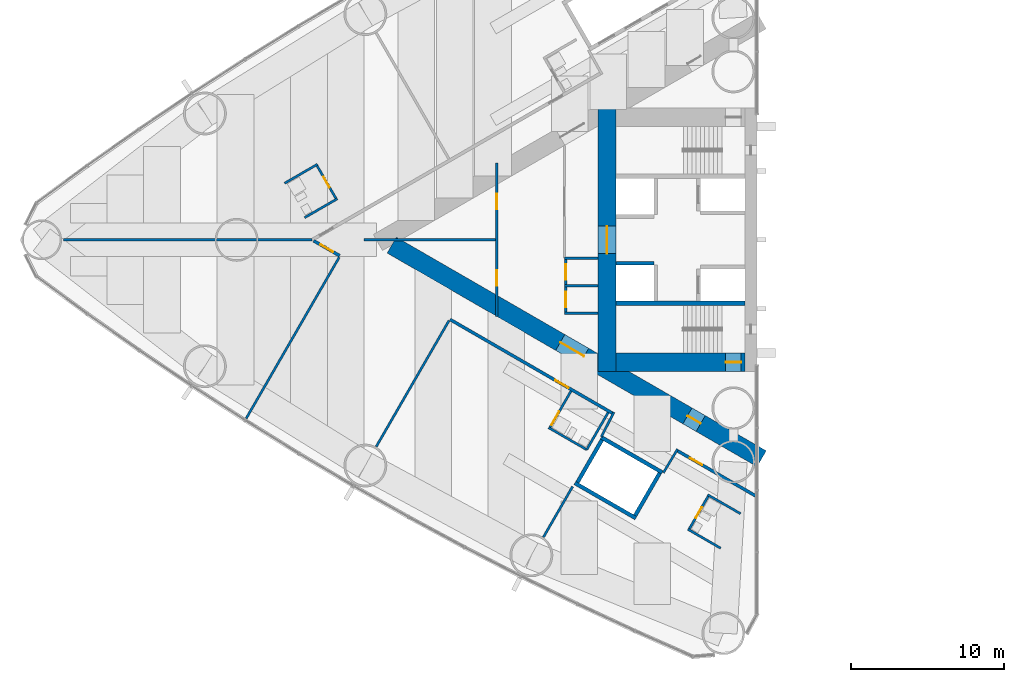
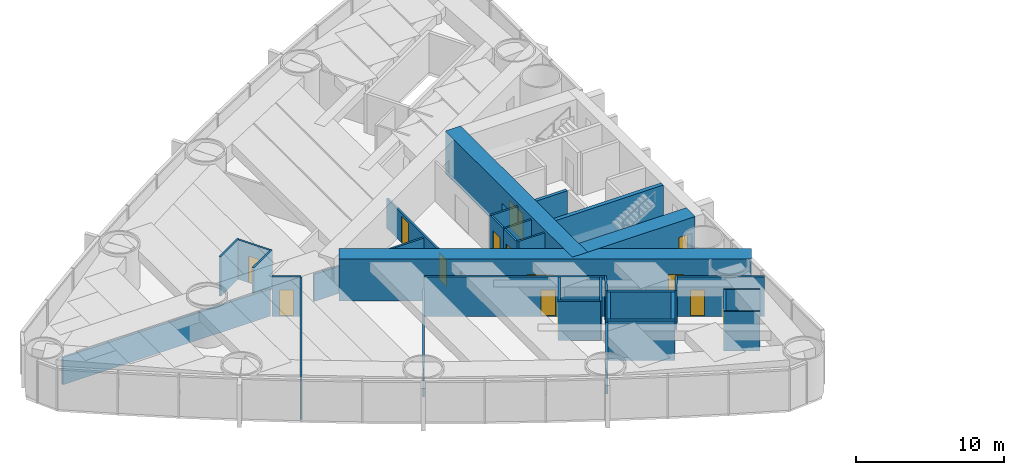
# One storey, part 11 of 18: 34 walls, 14 doors, 14 openings.
"""IFC4 building model written with IfcOpenShell, lengths in metres."""

from ifc_helpers import new_model, si_unit, direction, frame, frame_2d, origin, place, context, subcontext, project, spatial, rectangle, extrude, material, layer, layer_set, type_object, element, fill, save


model = new_model("IFC4")

# Units and contexts
model_context = context("Model", 3, precision=1e-05, world=origin(), true_north=direction((0.0, 1.0)))
body_context = subcontext(model_context, "Body", "Model", "MODEL_VIEW")
ifc_project = project(units=[si_unit("LENGTHUNIT", "METRE"), si_unit("AREAUNIT", "SQUARE_METRE"), si_unit("VOLUMEUNIT", "CUBIC_METRE"), si_unit("PLANEANGLEUNIT", "RADIAN"), si_unit("MASSUNIT", "GRAM", prefix="KILO")], contexts=[model_context])

# Site, building, storey
site_placement = place(None, origin())
site = spatial("IfcSite", under=ifc_project, at=site_placement, CompositionType="ELEMENT")
building_placement = place(site_placement, origin())
building = spatial("IfcBuilding", under=site, at=building_placement, Name="Lancet Gate Hotel", CompositionType="ELEMENT")
storey_placement = place(building_placement, frame((0.0, 0.0, 53.0)))
storey = spatial("IfcBuildingStorey", under=building, at=storey_placement, Name="L13", CompositionType="ELEMENT", Elevation=53.0)

# Wall
ifc_material_1 = material(Name="Moisture resistant board partition")
ifc_layer_1 = layer(ifc_material_1, 0.14990234375)
ifc_layer_set_1 = layer_set([ifc_layer_1], Name="Bathroom wall 150")
wall_type_1 = type_object("IfcWallType", Name="Bathroom wall 150", PredefinedType="PARTITIONING", material=ifc_layer_set_1)
wall_1_placement = place(storey_placement, frame((-56.215087890625, 4.938232421875, 0.0), z_axis=(0.0, 0.0, 1.0), x_axis=(-0.866006523861, -0.500032699561, 0.0)))
element("IfcWall", 1, at=wall_1_placement, inside=storey, type_object=wall_type_1, Name="T1 bathroom wall 150 L13", PredefinedType="PARTITIONING", context=body_context, shape_type="SweptSolid", body=[
    extrude(rectangle(XDim=2.474853515625, YDim=0.14990234375, at=frame_2d((1.2373046875, 0.0))), origin(), (0.0, 0.0, 1.0), 3.25),
])

# Wall, opening, door
wall_2_placement = place(storey_placement, frame((-54.97998046875, 2.64892578125, 0.0), z_axis=(0.0, 0.0, 1.0), x_axis=(-0.500006934395, 0.866021400173, 0.0)))
wall_2 = element("IfcWall", 2, at=wall_2_placement, inside=storey, type_object=wall_type_1, Name="T1 bathroom wall 150 L13", PredefinedType="PARTITIONING", context=body_context, shape_type="SweptSolid", body=[
    extrude(rectangle(XDim=2.60009765625, YDim=0.14990234375, at=frame_2d((1.300048828125, 0.0))), origin(), (0.0, 0.0, 1.0), 3.25),
])
opening_1_placement = place(wall_2_placement, frame((0.89990234375, 0.0, 0.0)))
opening_1 = element("IfcOpeningElement", 3, at=opening_1_placement, cuts=wall_2, Name="Opening 1303-B", PredefinedType="OPENING", context=body_context, shape_type="SweptSolid", body=[
    extrude(rectangle(XDim=0.800048828125, YDim=2.199951171875, at=frame_2d((0.39990234375, 1.10009765625))), frame((0.0, 0.0849609375, 0.0), z_axis=(0.0, -1.0, 0.0), x_axis=(1.0, 0.0, 0.0)), (0.0, 0.0, 1.0), 0.169921875),
])
ifc_material_2 = material(Name="Timber door set", Category="wood")
door_type_1 = type_object("IfcDoorType", Name="Bathroom door 800", OperationType="SINGLE_SWING_RIGHT", PredefinedType="DOOR", material=ifc_material_2)
door_1_placement = place(opening_1_placement, origin())
door_1 = element("IfcDoor", 4, at=door_1_placement, inside=storey, type_object=door_type_1, Name="1303-B", OperationType="SINGLE_SWING_RIGHT", OverallHeight=2.199951171875, OverallWidth=0.800048828125, PredefinedType="DOOR", context=body_context, shape_type="SweptSolid", body=[
    extrude(rectangle(XDim=0.800048828125, YDim=2.199951171875, at=frame_2d((0.39990234375, 1.10009765625))), frame((0.0, 0.02490234375, 0.0), z_axis=(0.0, -1.0, 0.0), x_axis=(1.0, 0.0, 0.0)), (0.0, 0.0, 1.0), 0.050048828125),
])
fill(opening_1, door_1)

# Walls
wall_3_placement = place(storey_placement, frame((-54.9150390625, 2.6865234375, 0.0), z_axis=(0.0, 0.0, 1.0), x_axis=(-0.866006523861, -0.500032699561, 0.0)))
element("IfcWall", 5, at=wall_3_placement, inside=storey, type_object=wall_type_1, Name="T1 bathroom wall 150 L13", PredefinedType="PARTITIONING", context=body_context, shape_type="SweptSolid", body=[
    extrude(rectangle(XDim=2.474853515625, YDim=0.14990234375, at=frame_2d((1.2373046875, 0.0))), origin(), (0.0, 0.0, 1.0), 3.25),
])
wall_4_placement = place(storey_placement, frame((-38.630126953125, -13.705322265625, 0.0), z_axis=(0.0, 0.0, 1.0), x_axis=(-0.866018712932, 0.500011588718, 0.0)))
element("IfcWall", 6, at=wall_4_placement, inside=storey, type_object=wall_type_1, Name="T1 bathroom wall 150 L13", PredefinedType="PARTITIONING", context=body_context, shape_type="SweptSolid", body=[
    extrude(rectangle(XDim=2.875, YDim=0.14990234375, at=frame_2d((1.4375, 0.0))), origin(), (0.0, 0.0, 1.0), 3.25),
])

# Wall, opening, door
wall_5_placement = place(storey_placement, frame((-39.65478515625, -9.88037109375, 0.0), z_axis=(0.0, 0.0, 1.0), x_axis=(-0.500049511043, -0.865996816683, 0.0)))
wall_5 = element("IfcWall", 7, at=wall_5_placement, inside=storey, type_object=wall_type_1, Name="T1 bathroom wall 150 L13", PredefinedType="PARTITIONING", context=body_context, shape_type="SweptSolid", body=[
    extrude(rectangle(XDim=2.800048828125, YDim=0.14990234375, at=frame_2d((1.39990234375, 0.0))), origin(), (0.0, 0.0, 1.0), 3.25),
])
opening_2_placement = place(wall_5_placement, frame((1.550048828125, 0.0, 0.0)))
opening_2 = element("IfcOpeningElement", 8, at=opening_2_placement, cuts=wall_5, Name="Opening 1307-B", PredefinedType="OPENING", context=body_context, shape_type="SweptSolid", body=[
    extrude(rectangle(XDim=1.0, YDim=2.199951171875, at=frame_2d((0.5, 1.10009765625))), frame((0.0, 0.0849609375, 0.0), z_axis=(0.0, -1.0, 0.0), x_axis=(1.0, 0.0, 0.0)), (0.0, 0.0, 1.0), 0.169921875),
])
ifc_material_3 = material(Name="Timber door set", Category="wood")
door_type_2 = type_object("IfcDoorType", Name="Accessible en-suite door 1000", OperationType="SINGLE_SWING_RIGHT", PredefinedType="DOOR", material=ifc_material_3)
door_2_placement = place(opening_2_placement, origin())
door_2 = element("IfcDoor", 9, at=door_2_placement, inside=storey, type_object=door_type_2, Name="1307-B", OperationType="SINGLE_SWING_RIGHT", OverallHeight=2.199951171875, OverallWidth=1.0, PredefinedType="DOOR", context=body_context, shape_type="SweptSolid", body=[
    extrude(rectangle(XDim=1.0, YDim=2.199951171875, at=frame_2d((0.5, 1.10009765625))), frame((0.0, 0.02490234375, 0.0), z_axis=(0.0, -1.0, 0.0), x_axis=(1.0, 0.0, 0.0)), (0.0, 0.0, 1.0), 0.050048828125),
])
fill(opening_2, door_2)

# Walls
wall_6_placement = place(storey_placement, frame((-37.22998046875, -11.280517578125, 0.0), z_axis=(0.0, 0.0, 1.0), x_axis=(-0.500049511043, -0.865996816683, 0.0)))
element("IfcWall", 10, at=wall_6_placement, inside=storey, type_object=wall_type_1, Name="T1 bathroom wall 150 L13", PredefinedType="PARTITIONING", context=body_context, shape_type="SweptSolid", body=[
    extrude(rectangle(XDim=2.800048828125, YDim=0.14990234375, at=frame_2d((1.39990234375, 0.0))), origin(), (0.0, 0.0, 1.0), 3.25),
])
wall_7_placement = place(storey_placement, frame((-29.8818359375, -20.1416015625, 0.0), z_axis=(0.0, 0.0, 1.0), x_axis=(-0.866031185235, 0.4999899861, 0.0)))
element("IfcWall", 11, at=wall_7_placement, inside=storey, type_object=wall_type_1, Name="T1 bathroom wall 150 L13", PredefinedType="PARTITIONING", context=body_context, shape_type="SweptSolid", body=[
    extrude(rectangle(XDim=2.47509765625, YDim=0.14990234375, at=frame_2d((1.237548828125, 0.0))), origin(), (0.0, 0.0, 1.0), 3.25),
])

# Wall, opening, door
wall_8_placement = place(storey_placement, frame((-30.660400390625, -16.68994140625, 0.0), z_axis=(0.0, 0.0, 1.0), x_axis=(-0.499936506574, -0.866062058628, 0.0)))
wall_8 = element("IfcWall", 12, at=wall_8_placement, inside=storey, type_object=wall_type_1, Name="T1 bathroom wall 150 L13", PredefinedType="PARTITIONING", context=body_context, shape_type="SweptSolid", body=[
    extrude(rectangle(XDim=2.599853515625, YDim=0.14990234375, at=frame_2d((1.2998046875, 0.0))), origin(), (0.0, 0.0, 1.0), 3.25),
])
opening_3_placement = place(wall_8_placement, frame((0.89990234375, 0.0, 0.0)))
opening_3 = element("IfcOpeningElement", 13, at=opening_3_placement, cuts=wall_8, Name="Opening 1308-B", PredefinedType="OPENING", context=body_context, shape_type="SweptSolid", body=[
    extrude(rectangle(XDim=0.800048828125, YDim=2.199951171875, at=frame_2d((0.39990234375, 1.10009765625))), frame((0.0, 0.0849609375, 0.0), z_axis=(0.0, -1.0, 0.0), x_axis=(1.0, 0.0, 0.0)), (0.0, 0.0, 1.0), 0.169921875),
])
door_3_placement = place(opening_3_placement, origin())
door_3 = element("IfcDoor", 14, at=door_3_placement, inside=storey, type_object=door_type_1, Name="1308-B", OperationType="SINGLE_SWING_RIGHT", OverallHeight=2.199951171875, OverallWidth=0.800048828125, PredefinedType="DOOR", context=body_context, shape_type="SweptSolid", body=[
    extrude(rectangle(XDim=0.800048828125, YDim=2.199951171875, at=frame_2d((0.39990234375, 1.10009765625))), frame((0.0, 0.02490234375, 0.0), z_axis=(0.0, -1.0, 0.0), x_axis=(1.0, 0.0, 0.0)), (0.0, 0.0, 1.0), 0.050048828125),
])
fill(opening_3, door_3)

# Wall
wall_9_placement = place(storey_placement, frame((-28.581787109375, -17.889892578125, 0.0), z_axis=(0.0, 0.0, 1.0), x_axis=(-0.866073894602, 0.499916002032, 0.0)))
element("IfcWall", 15, at=wall_9_placement, inside=storey, type_object=wall_type_1, Name="T1 bathroom wall 150 L13", PredefinedType="PARTITIONING", context=body_context, shape_type="SweptSolid", body=[
    extrude(rectangle(XDim=2.47509765625, YDim=0.14990234375, at=frame_2d((1.237548828125, 0.0))), origin(), (0.0, 0.0, 1.0), 3.25),
])

# Wall, openings, doors
ifc_material_4 = material(Name="Concrete C70/85", Category="concrete")
ifc_layer_2 = layer(ifc_material_4, 1.199951171875)
ifc_layer_set_2 = layer_set([ifc_layer_2], Name="Buttress wall 1200")
wall_type_2 = type_object("IfcWallType", Name="Buttress wall 1200", PredefinedType="SHEAR", material=ifc_layer_set_2)
wall_10_placement = place(storey_placement, frame((-27.199951171875, -14.300048828125, 0.0), z_axis=(0.0, 0.0, 1.0), x_axis=(-0.866024021859, 0.500002393557, 0.0)))
wall_10 = element("IfcWall", 16, at=wall_10_placement, inside=storey, type_object=wall_type_2, Name="T1 buttress wall N L13", PredefinedType="SHEAR", context=body_context, shape_type="SweptSolid", body=[
    extrude(rectangle(XDim=27.906982421875, YDim=1.199951171875, at=frame_2d((13.95361328125, 0.0))), origin(), (0.0, 0.0, 1.0), 3.5),
])
opening_4_placement = place(wall_10_placement, frame((4.60009765625, 0.0, 0.0)))
opening_4 = element("IfcOpeningElement", 17, at=opening_4_placement, cuts=wall_10, Name="Opening T1-L13-LN", PredefinedType="OPENING", context=body_context, shape_type="SweptSolid", body=[
    extrude(rectangle(XDim=1.0, YDim=2.199951171875, at=frame_2d((0.5, 1.10009765625))), frame((0.0, 0.60986328125, 0.0), z_axis=(0.0, -1.0, 0.0), x_axis=(1.0, 0.0, 0.0)), (0.0, 0.0, 1.0), 1.219970703125),
])
opening_5_placement = place(wall_10_placement, frame((13.39453125, 0.0, 0.0)))
opening_5 = element("IfcOpeningElement", 18, at=opening_5_placement, cuts=wall_10, Name="Opening T1-L13-LHN", PredefinedType="OPENING", context=body_context, shape_type="SweptSolid", body=[
    extrude(rectangle(XDim=1.800048828125, YDim=2.199951171875, at=frame_2d((0.89990234375, 1.10009765625))), frame((0.0, 0.60986328125, 0.0), z_axis=(0.0, -1.0, 0.0), x_axis=(1.0, 0.0, 0.0)), (0.0, 0.0, 1.0), 1.219970703125),
])
ifc_material_5 = material(Name="Timber door set", Category="wood")
door_type_3 = type_object("IfcDoorType", Name="Lobby double door 1800", OperationType="DOUBLE_DOOR_SINGLE_SWING", PredefinedType="DOOR", material=ifc_material_5)
door_4_placement = place(opening_5_placement, origin())
door_4 = element("IfcDoor", 19, at=door_4_placement, inside=storey, type_object=door_type_3, Name="T1-L13-LHN", OperationType="DOUBLE_DOOR_SINGLE_SWING", OverallHeight=2.199951171875, OverallWidth=1.800048828125, PredefinedType="DOOR", context=body_context, shape_type="SweptSolid", body=[
    extrude(rectangle(XDim=1.800048828125, YDim=2.199951171875, at=frame_2d((0.89990234375, 1.10009765625))), frame((0.0, 0.02490234375, 0.0), z_axis=(0.0, -1.0, 0.0), x_axis=(1.0, 0.0, 0.0)), (0.0, 0.0, 1.0), 0.050048828125),
])
fill(opening_5, door_4)
ifc_material_6 = material(Name="Timber door set", Category="wood")
door_type_4 = type_object("IfcDoorType", Name="Stair lobby door 1000", OperationType="SINGLE_SWING_LEFT", PredefinedType="DOOR", material=ifc_material_6)
door_5_placement = place(opening_4_placement, origin())
door_5 = element("IfcDoor", 20, at=door_5_placement, inside=storey, type_object=door_type_4, Name="T1-L13-LN", OperationType="SINGLE_SWING_LEFT", OverallHeight=2.199951171875, OverallWidth=1.0, PredefinedType="DOOR", context=body_context, shape_type="SweptSolid", body=[
    extrude(rectangle(XDim=1.0, YDim=2.199951171875, at=frame_2d((0.5, 1.10009765625))), frame((0.0, 0.02490234375, 0.0), z_axis=(0.0, -1.0, 0.0), x_axis=(1.0, 0.0, 0.0)), (0.0, 0.0, 1.0), 0.050048828125),
])
fill(opening_4, door_5)

# Wall, opening, door
ifc_material_7 = material(Name="Concrete C70/85", Category="concrete")
ifc_layer_3 = layer(ifc_material_7, 1.199951171875)
ifc_layer_set_3 = layer_set([ifc_layer_3], Name="Core wall 1200")
wall_type_3 = type_object("IfcWallType", Name="Core wall 1200", PredefinedType="SHEAR", material=ifc_layer_set_3)
wall_11_placement = place(storey_placement, frame((-37.300048828125, 8.60009765625, 0.0), z_axis=(0.0, 0.0, 1.0), x_axis=(0.0, -1.0, 0.0)))
wall_11 = element("IfcWall", 21, at=wall_11_placement, inside=storey, type_object=wall_type_3, Name="T1 core wall back L13", PredefinedType="SHEAR", context=body_context, shape_type="SweptSolid", body=[
    extrude(rectangle(XDim=17.2001953125, YDim=1.199951171875, at=frame_2d((8.60009765625, 0.0))), origin(), (0.0, 0.0, 1.0), 3.5),
])
opening_6_placement = place(wall_11_placement, frame((7.699951171875, 0.0, 0.0)))
opening_6 = element("IfcOpeningElement", 22, at=opening_6_placement, cuts=wall_11, Name="Opening T1-L13-LL", PredefinedType="OPENING", context=body_context, shape_type="SweptSolid", body=[
    extrude(rectangle(XDim=1.800048828125, YDim=2.199951171875, at=frame_2d((0.89990234375, 1.10009765625))), frame((0.0, 0.60986328125, 0.0), z_axis=(0.0, -1.0, 0.0), x_axis=(1.0, 0.0, 0.0)), (0.0, 0.0, 1.0), 1.219970703125),
])
door_6_placement = place(opening_6_placement, origin())
door_6 = element("IfcDoor", 23, at=door_6_placement, inside=storey, type_object=door_type_3, Name="T1-L13-LL", OperationType="DOUBLE_DOOR_SINGLE_SWING", OverallHeight=2.199951171875, OverallWidth=1.800048828125, PredefinedType="DOOR", context=body_context, shape_type="SweptSolid", body=[
    extrude(rectangle(XDim=1.800048828125, YDim=2.199951171875, at=frame_2d((0.89990234375, 1.10009765625))), frame((0.0, 0.02490234375, 0.0), z_axis=(0.0, -1.0, 0.0), x_axis=(1.0, 0.0, 0.0)), (0.0, 0.0, 1.0), 0.050048828125),
])
fill(opening_6, door_6)

wall_12_placement = place(storey_placement, frame((-28.300048828125, -8.0, 0.0), z_axis=(0.0, 0.0, 1.0), x_axis=(-1.0, 0.0, 0.0)))
wall_12 = element("IfcWall", 24, at=wall_12_placement, inside=storey, type_object=wall_type_3, Name="T1 core wall side-N L13", PredefinedType="SHEAR", context=body_context, shape_type="SweptSolid", body=[
    extrude(rectangle(XDim=8.39990234375, YDim=1.199951171875, at=frame_2d((4.199951171875, 0.0))), origin(), (0.0, 0.0, 1.0), 3.5),
])
opening_7_placement = place(wall_12_placement, frame((0.25, 0.0, 0.0)))
opening_7 = element("IfcOpeningElement", 25, at=opening_7_placement, cuts=wall_12, Name="Opening T1-L13-ST2", PredefinedType="OPENING", context=body_context, shape_type="SweptSolid", body=[
    extrude(rectangle(XDim=1.0, YDim=2.199951171875, at=frame_2d((0.5, 1.10009765625))), frame((0.0, 0.60986328125, 0.0), z_axis=(0.0, -1.0, 0.0), x_axis=(1.0, 0.0, 0.0)), (0.0, 0.0, 1.0), 1.219970703125),
])
ifc_material_8 = material(Name="Timber door set", Category="wood")
door_type_5 = type_object("IfcDoorType", Name="Stair door 1000", OperationType="SINGLE_SWING_RIGHT", PredefinedType="DOOR", material=ifc_material_8)
door_7_placement = place(opening_7_placement, origin())
door_7 = element("IfcDoor", 26, at=door_7_placement, inside=storey, type_object=door_type_5, Name="T1-L13-ST2", OperationType="SINGLE_SWING_RIGHT", OverallHeight=2.199951171875, OverallWidth=1.0, PredefinedType="DOOR", context=body_context, shape_type="SweptSolid", body=[
    extrude(rectangle(XDim=1.0, YDim=2.199951171875, at=frame_2d((0.5, 1.10009765625))), frame((0.0, 0.02490234375, 0.0), z_axis=(0.0, -1.0, 0.0), x_axis=(1.0, 0.0, 0.0)), (0.0, 0.0, 1.0), 0.050048828125),
])
fill(opening_7, door_7)

ifc_material_9 = material(Name="Gypsum board partition")
ifc_layer_4 = layer(ifc_material_9, 0.199951171875)
ifc_layer_set_4 = layer_set([ifc_layer_4], Name="Corridor wall 200")
wall_type_4 = type_object("IfcWallType", Name="Corridor wall 200", PredefinedType="PARTITIONING", material=ifc_layer_set_4)
wall_13_placement = place(storey_placement, frame((-27.572021484375, -16.740966796875, 0.0), z_axis=(0.0, 0.0, 1.0), x_axis=(-0.866024464444, 0.500001626982, 0.0)))
wall_13 = element("IfcWall", 27, at=wall_13_placement, inside=storey, type_object=wall_type_4, Name="T1 corridor wall 200 L13", PredefinedType="PARTITIONING", context=body_context, shape_type="SweptSolid", body=[
    extrude(rectangle(XDim=5.955078125, YDim=0.199951171875, at=frame_2d((2.9775390625, 0.0))), origin(), (0.0, 0.0, 1.0), 3.25),
])
opening_8_placement = place(wall_13_placement, frame((4.050048828125, 0.0, 0.0)))
opening_8 = element("IfcOpeningElement", 28, at=opening_8_placement, cuts=wall_13, Name="Opening 1308-E", PredefinedType="OPENING", context=body_context, shape_type="SweptSolid", body=[
    extrude(rectangle(XDim=0.949951171875, YDim=2.199951171875, at=frame_2d((0.47509765625, 1.10009765625))), frame((0.0, 0.10986328125, 0.0), z_axis=(0.0, -1.0, 0.0), x_axis=(1.0, 0.0, 0.0)), (0.0, 0.0, 1.0), 0.219970703125),
])
ifc_material_10 = material(Name="Timber door set", Category="wood")
door_type_6 = type_object("IfcDoorType", Name="Guest room entry door 950", OperationType="SINGLE_SWING_LEFT", PredefinedType="DOOR", material=ifc_material_10)
door_8_placement = place(opening_8_placement, origin())
door_8 = element("IfcDoor", 29, at=door_8_placement, inside=storey, type_object=door_type_6, Name="1308-E", OperationType="SINGLE_SWING_LEFT", OverallHeight=2.199951171875, OverallWidth=0.949951171875, PredefinedType="DOOR", context=body_context, shape_type="SweptSolid", body=[
    extrude(rectangle(XDim=0.949951171875, YDim=2.199951171875, at=frame_2d((0.47509765625, 1.10009765625))), frame((0.0, 0.02490234375, 0.0), z_axis=(0.0, -1.0, 0.0), x_axis=(1.0, 0.0, 0.0)), (0.0, 0.0, 1.0), 0.050048828125),
])
fill(opening_8, door_8)

wall_14_placement = place(storey_placement, frame((-36.920166015625, -11.34375, 0.0), z_axis=(0.0, 0.0, 1.0), x_axis=(-0.866025017052, 0.500000669839, 0.0)))
wall_14 = element("IfcWall", 30, at=wall_14_placement, inside=storey, type_object=wall_type_4, Name="T1 corridor wall 200 L13", PredefinedType="PARTITIONING", context=body_context, shape_type="SweptSolid", body=[
    extrude(rectangle(XDim=12.2802734375, YDim=0.199951171875, at=frame_2d((6.14013671875, 0.0))), origin(), (0.0, 0.0, 1.0), 3.25),
])
opening_9_placement = place(wall_14_placement, frame((3.35009765625, 0.0, 0.0)))
opening_9 = element("IfcOpeningElement", 31, at=opening_9_placement, cuts=wall_14, Name="Opening 1307-E", PredefinedType="OPENING", context=body_context, shape_type="SweptSolid", body=[
    extrude(rectangle(XDim=1.0, YDim=2.199951171875, at=frame_2d((0.5, 1.10009765625))), frame((0.0, 0.10986328125, 0.0), z_axis=(0.0, -1.0, 0.0), x_axis=(1.0, 0.0, 0.0)), (0.0, 0.0, 1.0), 0.219970703125),
])
ifc_material_11 = material(Name="Timber door set", Category="wood")
door_type_7 = type_object("IfcDoorType", Name="Accessible guest room door 1000", OperationType="SINGLE_SWING_LEFT", PredefinedType="DOOR", material=ifc_material_11)
door_9_placement = place(opening_9_placement, origin())
door_9 = element("IfcDoor", 32, at=door_9_placement, inside=storey, type_object=door_type_7, Name="1307-E", OperationType="SINGLE_SWING_LEFT", OverallHeight=2.199951171875, OverallWidth=1.0, PredefinedType="DOOR", context=body_context, shape_type="SweptSolid", body=[
    extrude(rectangle(XDim=1.0, YDim=2.199951171875, at=frame_2d((0.5, 1.10009765625))), frame((0.0, 0.02490234375, 0.0), z_axis=(0.0, -1.0, 0.0), x_axis=(1.0, 0.0, 0.0)), (0.0, 0.0, 1.0), 0.050048828125),
])
fill(opening_9, door_9)

wall_15_placement = place(storey_placement, frame((-54.767578125, -1.03955078125, 0.0), z_axis=(0.0, 0.0, 1.0), x_axis=(-0.866056934013, 0.499945384066, 0.0)))
wall_15 = element("IfcWall", 33, at=wall_15_placement, inside=storey, type_object=wall_type_4, Name="T1 corridor wall 200 L13", PredefinedType="PARTITIONING", context=body_context, shape_type="SweptSolid", body=[
    extrude(rectangle(XDim=1.959228515625, YDim=0.199951171875, at=frame_2d((0.9794921875, 0.0))), origin(), (0.0, 0.0, 1.0), 3.25),
])
opening_10_placement = place(wall_15_placement, frame((0.504638671875, 0.0, 0.0)))
opening_10 = element("IfcOpeningElement", 34, at=opening_10_placement, cuts=wall_15, Name="Opening 1305-E", PredefinedType="OPENING", context=body_context, shape_type="SweptSolid", body=[
    extrude(rectangle(XDim=0.949951171875, YDim=2.199951171875, at=frame_2d((0.47509765625, 1.10009765625))), frame((0.0, 0.10986328125, 0.0), z_axis=(0.0, -1.0, 0.0), x_axis=(1.0, 0.0, 0.0)), (0.0, 0.0, 1.0), 0.219970703125),
])
door_10_placement = place(opening_10_placement, origin())
door_10 = element("IfcDoor", 35, at=door_10_placement, inside=storey, type_object=door_type_6, Name="1305-E", OperationType="SINGLE_SWING_LEFT", OverallHeight=2.199951171875, OverallWidth=0.949951171875, PredefinedType="DOOR", context=body_context, shape_type="SweptSolid", body=[
    extrude(rectangle(XDim=0.949951171875, YDim=2.199951171875, at=frame_2d((0.47509765625, 1.10009765625))), frame((0.0, 0.02490234375, 0.0), z_axis=(0.0, -1.0, 0.0), x_axis=(1.0, 0.0, 0.0)), (0.0, 0.0, 1.0), 0.050048828125),
])
fill(opening_10, door_10)

# Walls
ifc_material_12 = material(Name="Gypsum board partition")
ifc_layer_5 = layer(ifc_material_12, 0.25)
ifc_layer_set_5 = layer_set([ifc_layer_5], Name="Lift shaft partition 250")
wall_type_5 = type_object("IfcWallType", Name="Lift shaft partition 250", PredefinedType="PARTITIONING", material=ifc_layer_set_5)
wall_16_placement = place(storey_placement, frame((-33.695556640625, -15.197265625, 0.0), z_axis=(0.0, 0.0, 1.0), x_axis=(-0.865976953817, 0.500083908417, 0.0)))
element("IfcWall", 36, at=wall_16_placement, inside=storey, type_object=wall_type_5, Name="T1 lift shaft wall EX L13", PredefinedType="PARTITIONING", context=body_context, shape_type="SweptSolid", body=[
    extrude(rectangle(XDim=4.599365234375, YDim=0.25, at=frame_2d((2.2998046875, 0.0))), origin(), (0.0, 0.0, 1.0), 3.25),
])
wall_17_placement = place(storey_placement, frame((-35.42041015625, -18.185791015625, 0.0), z_axis=(0.0, 0.0, 1.0), x_axis=(-0.865990227814, 0.50006092162, 0.0)))
element("IfcWall", 37, at=wall_17_placement, inside=storey, type_object=wall_type_5, Name="T1 lift shaft wall EX L13", PredefinedType="PARTITIONING", context=body_context, shape_type="SweptSolid", body=[
    extrude(rectangle(XDim=4.599609375, YDim=0.25, at=frame_2d((2.2998046875, 0.0))), origin(), (0.0, 0.0, 1.0), 3.25),
])
wall_18_placement = place(storey_placement, frame((-33.8662109375, -15.242919921875, 0.0), z_axis=(0.0, 0.0, 1.0), x_axis=(-0.499929347863, -0.866066190972, 0.0)))
element("IfcWall", 38, at=wall_18_placement, inside=storey, type_object=wall_type_5, Name="T1 lift shaft wall EX L13", PredefinedType="PARTITIONING", context=body_context, shape_type="SweptSolid", body=[
    extrude(rectangle(XDim=3.20068359375, YDim=0.25, at=frame_2d((1.600341796875, 0.0))), origin(), (0.0, 0.0, 1.0), 3.25),
])
wall_19_placement = place(storey_placement, frame((-37.6328125, -13.068115234375, 0.0), z_axis=(0.0, 0.0, 1.0), x_axis=(-0.499872130319, -0.866099216793, 0.0)))
element("IfcWall", 39, at=wall_19_placement, inside=storey, type_object=wall_type_5, Name="T1 lift shaft wall EX L13", PredefinedType="PARTITIONING", context=body_context, shape_type="SweptSolid", body=[
    extrude(rectangle(XDim=3.200439453125, YDim=0.25, at=frame_2d((1.60009765625, 0.0))), origin(), (0.0, 0.0, 1.0), 3.25),
])
ifc_material_13 = material(Name="Concrete C50/60", Category="concrete")
ifc_layer_6 = layer(ifc_material_13, 0.25)
ifc_layer_set_6 = layer_set([ifc_layer_6], Name="Lift shaft wall 250")
wall_type_6 = type_object("IfcWallType", Name="Lift shaft wall 250", PredefinedType="SHEAR", material=ifc_layer_set_6)
wall_20_placement = place(storey_placement, frame((-34.25, -1.52490234375, 0.0), z_axis=(0.0, 0.0, 1.0), x_axis=(-1.0, 0.0, 0.0)))
element("IfcWall", 40, at=wall_20_placement, inside=storey, type_object=wall_type_6, Name="T1 core wall pass2-N L13", PredefinedType="SHEAR", context=body_context, shape_type="SweptSolid", body=[
    extrude(rectangle(XDim=2.449951171875, YDim=0.25, at=frame_2d((1.22509765625, 0.0))), origin(), (0.0, 0.0, 1.0), 3.5),
])
ifc_material_14 = material(Name="Gypsum board partition")
ifc_layer_7 = layer(ifc_material_14, 0.14990234375)
ifc_layer_set_7 = layer_set([ifc_layer_7], Name="Party wall 150")
wall_type_7 = type_object("IfcWallType", Name="Party wall 150", PredefinedType="PARTITIONING", material=ifc_layer_set_7)
wall_21_placement = place(storey_placement, frame((-47.626708984375, -5.27783203125, 0.0), z_axis=(0.0, 0.0, 1.0), x_axis=(-0.500009844318, -0.86601972009, 0.0)))
element("IfcWall", 41, at=wall_21_placement, inside=storey, type_object=wall_type_7, Name="T1 party wall 150 L13", PredefinedType="PARTITIONING", context=body_context, shape_type="SweptSolid", body=[
    extrude(rectangle(XDim=9.510498046875, YDim=0.14990234375, at=frame_2d((4.75537109375, 0.0))), origin(), (0.0, 0.0, 1.0), 2.25),
])
wall_22_placement = place(storey_placement, frame((-54.796142578125, -1.138671875, 0.0), z_axis=(0.0, 0.0, 1.0), x_axis=(-0.499998860433, -0.866026061713, 0.0)))
element("IfcWall", 42, at=wall_22_placement, inside=storey, type_object=wall_type_7, Name="T1 party wall 150 L13", PredefinedType="PARTITIONING", context=body_context, shape_type="SweptSolid", body=[
    extrude(rectangle(XDim=12.15673828125, YDim=0.14990234375, at=frame_2d((6.078369140625, 0.0))), origin(), (0.0, 0.0, 1.0), 3.25),
])
wall_23_placement = place(storey_placement, frame((-56.568359375, 0.0, 0.0), z_axis=(0.0, 0.0, 1.0), x_axis=(-1.0, 0.0, 0.0)))
element("IfcWall", 43, at=wall_23_placement, inside=storey, type_object=wall_type_7, Name="T1 party wall 150 L13", PredefinedType="PARTITIONING", context=body_context, shape_type="SweptSolid", body=[
    extrude(rectangle(XDim=16.246826171875, YDim=0.14990234375, at=frame_2d((8.12353515625, 0.0))), origin(), (0.0, 0.0, 1.0), 2.25),
])
wall_24_placement = place(storey_placement, frame((-39.55078125, -16.118408203125, 0.0), z_axis=(0.0, 0.0, 1.0), x_axis=(-0.499986503906, -0.866033195618, 0.0)))
element("IfcWall", 44, at=wall_24_placement, inside=storey, type_object=wall_type_7, Name="T1 party wall 150 L13", PredefinedType="PARTITIONING", context=body_context, shape_type="SweptSolid", body=[
    extrude(rectangle(XDim=3.81494140625, YDim=0.14990234375, at=frame_2d((1.907470703125, 0.0))), origin(), (0.0, 0.0, 1.0), 3.25),
])
ifc_material_15 = material(Name="Gypsum board partition")
ifc_layer_8 = layer(ifc_material_15, 0.14990234375)
ifc_layer_set_8 = layer_set([ifc_layer_8], Name="Service room wall 150")
wall_type_8 = type_object("IfcWallType", Name="Service room wall 150", PredefinedType="PARTITIONING", material=ifc_layer_set_8)
wall_25_placement = place(storey_placement, frame((-36.857177734375, -11.2646484375, 0.0), z_axis=(0.0, 0.0, 1.0), x_axis=(-0.454225294761, -0.890886851176, 0.0)))
element("IfcWall", 45, at=wall_25_placement, inside=storey, type_object=wall_type_8, Name="T1 service room wall 150 L13", PredefinedType="PARTITIONING", context=body_context, shape_type="SweptSolid", body=[
    extrude(rectangle(XDim=1.80712890625, YDim=0.14990234375, at=frame_2d((0.903564453125, 0.0))), origin(), (0.0, 0.0, 1.0), 3.25),
])
wall_26_placement = place(storey_placement, frame((-33.62060546875, -15.217529296875, 0.0), z_axis=(0.0, 0.0, 1.0), x_axis=(0.514336634837, 0.857588377991, 0.0)))
element("IfcWall", 46, at=wall_26_placement, inside=storey, type_object=wall_type_8, Name="T1 service room wall 150 L13", PredefinedType="PARTITIONING", context=body_context, shape_type="SweptSolid", body=[
    extrude(rectangle(XDim=1.80517578125, YDim=0.14990234375, at=frame_2d((0.902587890625, 0.0))), origin(), (0.0, 0.0, 1.0), 3.25),
])
for number, where, z_axis, x_axis, name in (
    (47, (-37.89990234375, -1.199951171875, 0.0), (0.0, 0.0, 1.0), (-1.0, 0.0, 0.0), "T1 service room wall 150 L13"),
    (48, (-37.89990234375, -3.0, 0.0), (0.0, 0.0, 1.0), (-1.0, 0.0, 0.0), "T1 service room wall 150 L13"),
    (49, (-37.89990234375, -4.800048828125, 0.0), (0.0, 0.0, 1.0), (-1.0, 0.0, 0.0), "T1 service room wall 150 L13"),
):
    element("IfcWall", number, at=place(storey_placement, frame(where, z_axis=z_axis, x_axis=x_axis)), inside=storey, type_object=wall_type_8, Name=name, PredefinedType="PARTITIONING", context=body_context, shape_type="SweptSolid", body=[
        extrude(rectangle(XDim=2.175048828125, YDim=0.14990234375, at=frame_2d((1.08740234375, 0.0))), origin(), (0.0, 0.0, 1.0), 3.25),
    ])

# Wall, opening, door
wall_27_placement = place(storey_placement, frame((-40.0, -1.125, 0.0), z_axis=(0.0, 0.0, 1.0), x_axis=(0.0, -1.0, 0.0)))
wall_27 = element("IfcWall", 50, at=wall_27_placement, inside=storey, type_object=wall_type_8, Name="T1 service room wall 150 L13", PredefinedType="PARTITIONING", context=body_context, shape_type="SweptSolid", body=[
    extrude(rectangle(XDim=1.949951171875, YDim=0.14990234375, at=frame_2d((0.97509765625, 0.0))), origin(), (0.0, 0.0, 1.0), 3.25),
])
opening_11_placement = place(wall_27_placement, frame((0.47509765625, 0.0, 0.0)))
opening_11 = element("IfcOpeningElement", 51, at=opening_11_placement, cuts=wall_27, Name="Opening T1-L13-HRN0", PredefinedType="OPENING", context=body_context, shape_type="SweptSolid", body=[
    extrude(rectangle(XDim=1.0, YDim=2.199951171875, at=frame_2d((0.5, 1.10009765625))), frame((0.0, 0.0849609375, 0.0), z_axis=(0.0, -1.0, 0.0), x_axis=(1.0, 0.0, 0.0)), (0.0, 0.0, 1.0), 0.169921875),
])
ifc_material_16 = material(Name="Timber door set", Category="wood")
door_type_8 = type_object("IfcDoorType", Name="Service door 1000", OperationType="SINGLE_SWING_LEFT", PredefinedType="DOOR", material=ifc_material_16)
door_11_placement = place(opening_11_placement, origin())
door_11 = element("IfcDoor", 52, at=door_11_placement, inside=storey, type_object=door_type_8, Name="T1-L13-HRN0", OperationType="SINGLE_SWING_LEFT", OverallHeight=2.199951171875, OverallWidth=1.0, PredefinedType="DOOR", context=body_context, shape_type="SweptSolid", body=[
    extrude(rectangle(XDim=1.0, YDim=2.199951171875, at=frame_2d((0.5, 1.10009765625))), frame((0.0, 0.02490234375, 0.0), z_axis=(0.0, -1.0, 0.0), x_axis=(1.0, 0.0, 0.0)), (0.0, 0.0, 1.0), 0.050048828125),
])
fill(opening_11, door_11)

wall_28_placement = place(storey_placement, frame((-40.0, -2.925048828125, 0.0), z_axis=(0.0, 0.0, 1.0), x_axis=(0.0, -1.0, 0.0)))
wall_28 = element("IfcWall", 53, at=wall_28_placement, inside=storey, type_object=wall_type_8, Name="T1 service room wall 150 L13", PredefinedType="PARTITIONING", context=body_context, shape_type="SweptSolid", body=[
    extrude(rectangle(XDim=1.949951171875, YDim=0.14990234375, at=frame_2d((0.97509765625, 0.0))), origin(), (0.0, 0.0, 1.0), 3.25),
])
opening_12_placement = place(wall_28_placement, frame((0.47509765625, 0.0, 0.0)))
opening_12 = element("IfcOpeningElement", 54, at=opening_12_placement, cuts=wall_28, Name="Opening T1-L13-HRN1", PredefinedType="OPENING", context=body_context, shape_type="SweptSolid", body=[
    extrude(rectangle(XDim=1.0, YDim=2.199951171875, at=frame_2d((0.5, 1.10009765625))), frame((0.0, 0.0849609375, 0.0), z_axis=(0.0, -1.0, 0.0), x_axis=(1.0, 0.0, 0.0)), (0.0, 0.0, 1.0), 0.169921875),
])
door_12_placement = place(opening_12_placement, origin())
door_12 = element("IfcDoor", 55, at=door_12_placement, inside=storey, type_object=door_type_8, Name="T1-L13-HRN1", OperationType="SINGLE_SWING_LEFT", OverallHeight=2.199951171875, OverallWidth=1.0, PredefinedType="DOOR", context=body_context, shape_type="SweptSolid", body=[
    extrude(rectangle(XDim=1.0, YDim=2.199951171875, at=frame_2d((0.5, 1.10009765625))), frame((0.0, 0.02490234375, 0.0), z_axis=(0.0, -1.0, 0.0), x_axis=(1.0, 0.0, 0.0)), (0.0, 0.0, 1.0), 0.050048828125),
])
fill(opening_12, door_12)

# Wall, openings, doors
wall_29_placement = place(storey_placement, frame((-44.5, 5.004638671875, 0.0), z_axis=(0.0, 0.0, 1.0), x_axis=(0.0, -1.0, 0.0)))
wall_29 = element("IfcWall", 56, at=wall_29_placement, inside=storey, type_object=wall_type_8, Name="T1 service room wall 150 L13", PredefinedType="PARTITIONING", context=body_context, shape_type="SweptSolid", body=[
    extrude(rectangle(XDim=10.00927734375, YDim=0.14990234375, at=frame_2d((5.004638671875, 0.0))), origin(), (0.0, 0.0, 1.0), 2.449951171875),
])
opening_13_placement = place(wall_29_placement, frame((2.002197265625, 0.0, 0.0)))
opening_13 = element("IfcOpeningElement", 57, at=opening_13_placement, cuts=wall_29, Name="Opening T1-L13-SV", PredefinedType="OPENING", context=body_context, shape_type="SweptSolid", body=[
    extrude(rectangle(XDim=1.0, YDim=2.199951171875, at=frame_2d((0.5, 1.10009765625))), frame((0.0, 0.0849609375, 0.0), z_axis=(0.0, -1.0, 0.0), x_axis=(1.0, 0.0, 0.0)), (0.0, 0.0, 1.0), 0.169921875),
])
opening_14_placement = place(wall_29_placement, frame((7.0068359375, 0.0, 0.0)))
opening_14 = element("IfcOpeningElement", 58, at=opening_14_placement, cuts=wall_29, Name="Opening T1-L13-SV2", PredefinedType="OPENING", context=body_context, shape_type="SweptSolid", body=[
    extrude(rectangle(XDim=1.0, YDim=2.199951171875, at=frame_2d((0.5, 1.10009765625))), frame((0.0, 0.0849609375, 0.0), z_axis=(0.0, -1.0, 0.0), x_axis=(1.0, 0.0, 0.0)), (0.0, 0.0, 1.0), 0.169921875),
])
door_13_placement = place(opening_13_placement, origin())
door_13 = element("IfcDoor", 59, at=door_13_placement, inside=storey, type_object=door_type_8, Name="T1-L13-SV", OperationType="SINGLE_SWING_LEFT", OverallHeight=2.199951171875, OverallWidth=1.0, PredefinedType="DOOR", context=body_context, shape_type="SweptSolid", body=[
    extrude(rectangle(XDim=1.0, YDim=2.199951171875, at=frame_2d((0.5, 1.10009765625))), frame((0.0, 0.02490234375, 0.0), z_axis=(0.0, -1.0, 0.0), x_axis=(1.0, 0.0, 0.0)), (0.0, 0.0, 1.0), 0.050048828125),
])
fill(opening_13, door_13)
door_14_placement = place(opening_14_placement, origin())
door_14 = element("IfcDoor", 60, at=door_14_placement, inside=storey, type_object=door_type_8, Name="T1-L13-SV2", OperationType="SINGLE_SWING_LEFT", OverallHeight=2.199951171875, OverallWidth=1.0, PredefinedType="DOOR", context=body_context, shape_type="SweptSolid", body=[
    extrude(rectangle(XDim=1.0, YDim=2.199951171875, at=frame_2d((0.5, 1.10009765625))), frame((0.0, 0.02490234375, 0.0), z_axis=(0.0, -1.0, 0.0), x_axis=(1.0, 0.0, 0.0)), (0.0, 0.0, 1.0), 0.050048828125),
])
fill(opening_14, door_14)

# Walls
wall_30_placement = place(storey_placement, frame((-44.574951171875, 0.0, 0.0), z_axis=(0.0, 0.0, 1.0), x_axis=(-1.0, 0.0, 0.0)))
element("IfcWall", 61, at=wall_30_placement, inside=storey, type_object=wall_type_8, Name="T1 service room wall 150 L13", PredefinedType="PARTITIONING", context=body_context, shape_type="SweptSolid", body=[
    extrude(rectangle(XDim=8.59326171875, YDim=0.14990234375, at=frame_2d((4.296630859375, 0.0))), origin(), (0.0, 0.0, 1.0), 2.25),
])
ifc_material_17 = material(Name="Concrete C50/60", Category="concrete")
ifc_layer_9 = layer(ifc_material_17, 0.300048828125)
ifc_layer_set_9 = layer_set([ifc_layer_9], Name="Stair enclosure wall 300")
wall_type_9 = type_object("IfcWallType", Name="Stair enclosure wall 300", PredefinedType="SHEAR", material=ifc_layer_set_9)
wall_31_placement = place(storey_placement, frame((-28.300048828125, -4.14990234375, 0.0), z_axis=(0.0, 0.0, 1.0), x_axis=(-1.0, 0.0, 0.0)))
element("IfcWall", 62, at=wall_31_placement, inside=storey, type_object=wall_type_9, Name="T1 core wall stair-N L13", PredefinedType="SHEAR", context=body_context, shape_type="SweptSolid", body=[
    extrude(rectangle(XDim=8.39990234375, YDim=0.300048828125, at=frame_2d((4.199951171875, 0.0))), origin(), (0.0, 0.0, 1.0), 3.5),
])

save(model, "model.ifc")
